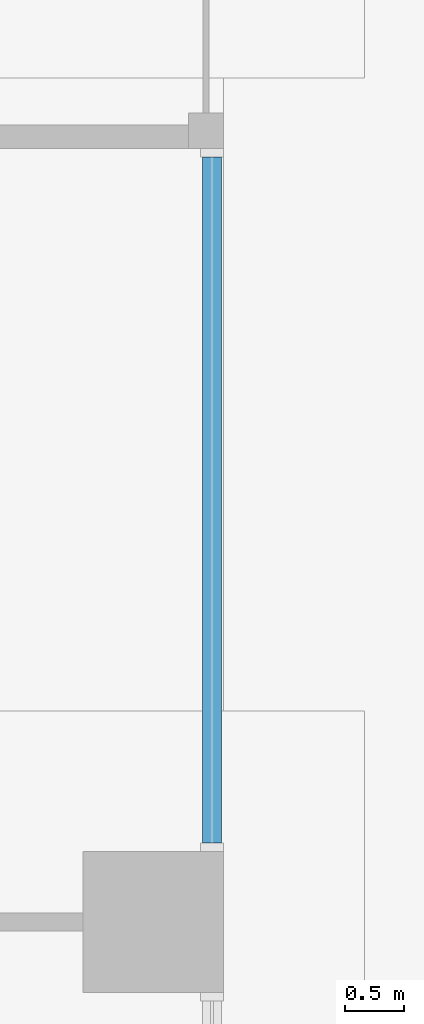
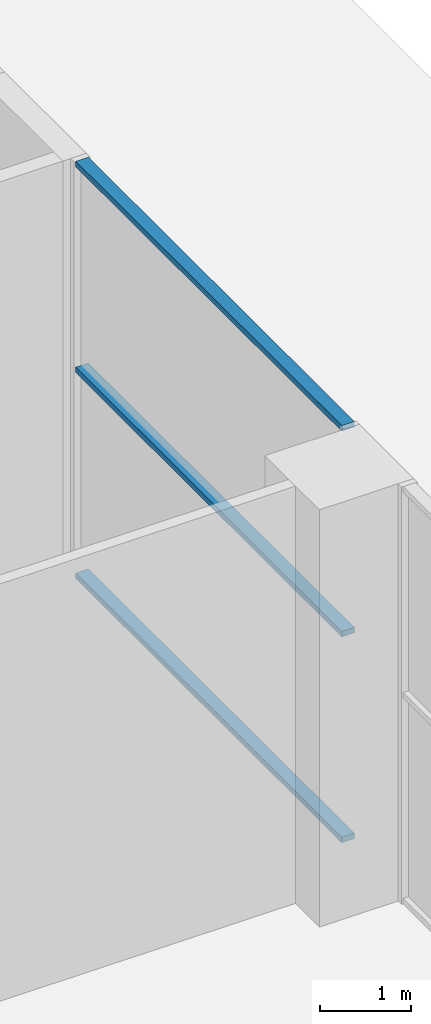
# One storey, part 6 of 20: 3 members, 1 element without a shape of its own.
"""IFC4 building model written with IfcOpenShell, lengths in metres."""

from ifc_helpers import new_model, si_unit, direction, frame, origin, origin_2d, place, context, subcontext, project, spatial, rectangle, extrude, material, material_profile, profile_set, type_object, element, aggregate, save


model = new_model("IFC4")

# Units and contexts
model_context = context("Model", 3, precision=1e-05, world=origin(), true_north=direction((0.0, 1.0)))
body_context = subcontext(model_context, "Body", "Model", "MODEL_VIEW")
ifc_project = project(units=[si_unit("LENGTHUNIT", "METRE"), si_unit("AREAUNIT", "SQUARE_METRE"), si_unit("VOLUMEUNIT", "CUBIC_METRE"), si_unit("PLANEANGLEUNIT", "RADIAN"), si_unit("MASSUNIT", "GRAM", prefix="KILO")], contexts=[model_context])

# Site, building, storey
site_placement = place(None, origin())
site = spatial("IfcSite", under=ifc_project, at=site_placement, CompositionType="ELEMENT")
building_placement = place(site_placement, origin())
building = spatial("IfcBuilding", under=site, at=building_placement, Name="Orbiselva Terraces", CompositionType="ELEMENT")
storey_placement = place(building_placement, origin())
storey = spatial("IfcBuildingStorey", under=building, at=storey_placement, Name="L00", CompositionType="ELEMENT", Elevation=0.0)

# Curtain wall, members
ifc_material_1 = material(Name="Clear low-e glazing in aluminium frame", Category="aluminium")
curtain_wall_type = type_object("IfcCurtainWallType", Name="ENV-CW-LOBBY", PredefinedType="NOTDEFINED", material=ifc_material_1)
curtain_wall_placement = place(storey_placement, origin())
curtain_wall = element("IfcCurtainWall", 1, at=curtain_wall_placement, inside=storey, type_object=curtain_wall_type, Name="Curtain wall L00 E", PredefinedType="NOTDEFINED")
ifc_material_2 = material(Name="Anodised aluminium", Category="aluminium")
ifc_material_profile = material_profile(ifc_material_2, rectangle(XDim=0.16, YDim=0.075, at=origin_2d()), Name="AL 75x160")
ifc_profile_set = profile_set([ifc_material_profile], Name="Anodised aluminium")
member_type = type_object("IfcMemberType", Name="ENV-CW-LOBBY-TRANSOM-75x160", PredefinedType="USERDEFINED", material=ifc_profile_set)
member_1_placement = place(storey_placement, frame((35.9, 5.175, 0.0375), z_axis=(0.0, 1.0, 0.0), x_axis=(-1.0, 0.0, 0.0)))
member_1 = element("IfcMember", 2, at=member_1_placement, type_object=member_type, Name="CW1 transom 1.1", ObjectType="TRANSOM", PredefinedType="USERDEFINED", context=body_context, shape_type="SweptSolid", body=[
    extrude(rectangle(XDim=0.16, YDim=0.075, at=origin_2d()), origin(), (0.0, 0.0, 1.0), 5.85),
])
member_2_placement = place(storey_placement, frame((35.9, 5.175, 2.8), z_axis=(0.0, 1.0, 0.0), x_axis=(-1.0, 0.0, 0.0)))
member_2 = element("IfcMember", 3, at=member_2_placement, type_object=member_type, Name="CW1 transom 1.2", ObjectType="TRANSOM", PredefinedType="USERDEFINED", context=body_context, shape_type="SweptSolid", body=[
    extrude(rectangle(XDim=0.16, YDim=0.075, at=origin_2d()), origin(), (0.0, 0.0, 1.0), 5.85),
])
member_3_placement = place(storey_placement, frame((35.9, 5.175, 5.5625), z_axis=(0.0, 1.0, 0.0), x_axis=(-1.0, 0.0, 0.0)))
member_3 = element("IfcMember", 4, at=member_3_placement, type_object=member_type, Name="CW1 transom 1.3", ObjectType="TRANSOM", PredefinedType="USERDEFINED", context=body_context, shape_type="SweptSolid", body=[
    extrude(rectangle(XDim=0.16, YDim=0.075, at=origin_2d()), origin(), (0.0, 0.0, 1.0), 5.85),
])
aggregate(curtain_wall, [member_1, member_2, member_3])

save(model, "model.ifc")
